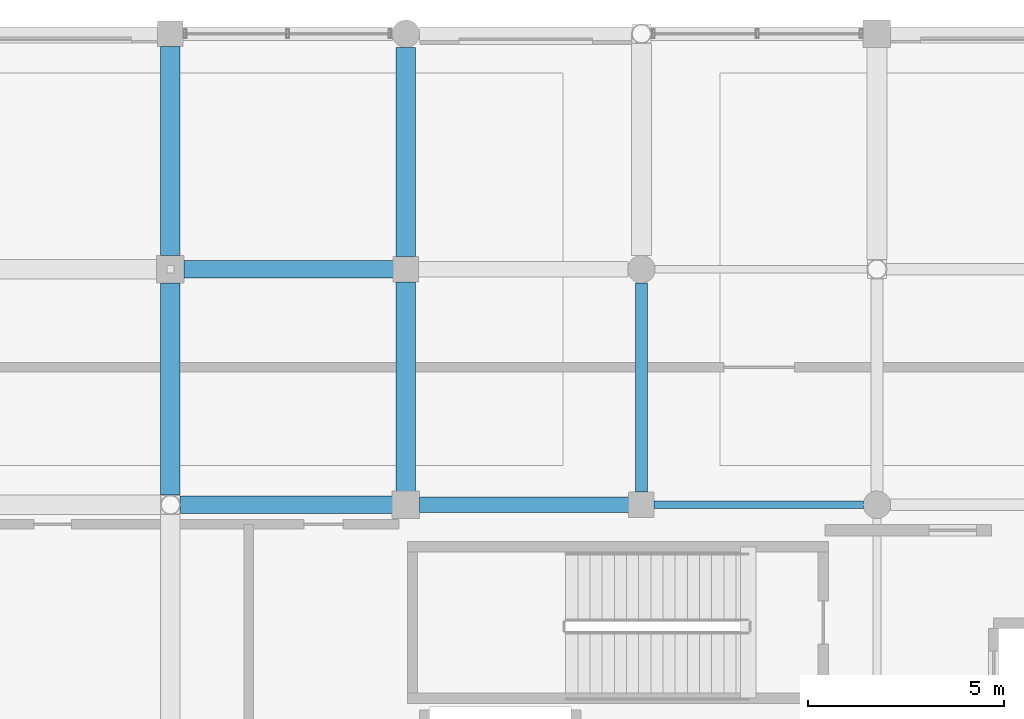
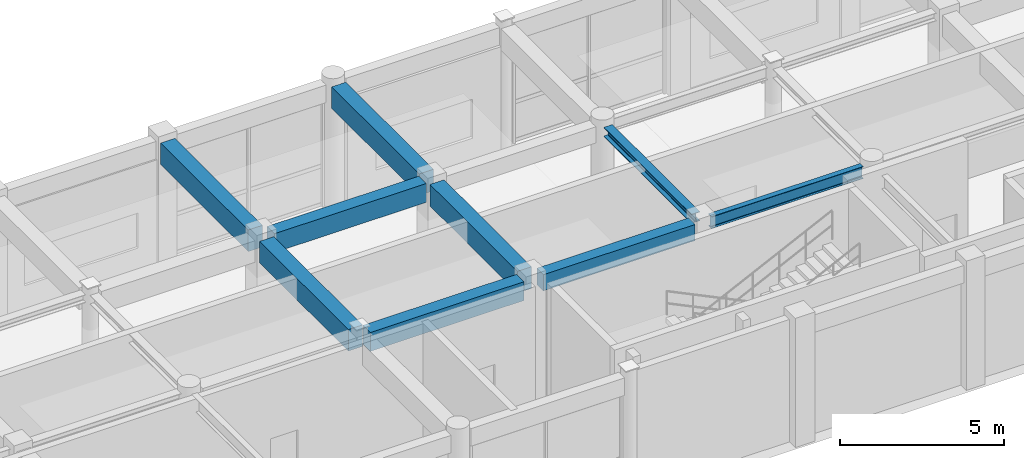
# One storey, part 52 of 112: 9 beams.
"""IFC4 building model written with IfcOpenShell, lengths in metres."""

import ifcopenshell
import ifcopenshell.guid

model = None  # the IFC model being written
_history = None  # IfcOwnerHistory: only IFC2X3 demands one
_inside = {}  # id of a spatial element -> (the spatial element, [elements in it])
_under = {}  # id of a project, library or spatial element -> (it, [spatial elements below it])
_declared = {}  # id of a project -> (the project, [libraries it declares])
_typed = {}  # id of a type object -> (the type object, [elements of that type])
_made_of = {}  # id of a material, layer set ... -> (it, [elements and type objects made of it])


def new_model(schema):
    """Start an empty IFC model of exactly this schema.

    Asked for "IFC4X3", IfcOpenShell would pick the latest addendum, in which some entities
    have other attributes; the version numbers below select the first issue.
    IFC2X3 requires an IfcOwnerHistory on every rooted entity: one is made here for all.
    """
    global model, _history
    if schema == "IFC4X3":
        model = ifcopenshell.file(schema_version=(4, 3, 0, 0))
    else:
        model = ifcopenshell.file(schema=schema)
    _inside.clear()
    _under.clear()
    _declared.clear()
    _typed.clear()
    _made_of.clear()
    _history = None
    if model.schema == "IFC2X3":
        org = make("IfcOrganization", Name="unknown")
        user = make(
            "IfcPersonAndOrganization",
            ThePerson=make("IfcPerson", FamilyName="unknown"),
            TheOrganization=org,
        )
        app = make(
            "IfcApplication",
            ApplicationDeveloper=org,
            Version="unknown",
            ApplicationFullName="unknown",
            ApplicationIdentifier="unknown",
        )
        _history = make(
            "IfcOwnerHistory",
            OwningUser=user,
            OwningApplication=app,
            ChangeAction="ADDED",
            CreationDate=0,
        )
    return model


def make(cls, **values):
    """One entity of the class cls with the attributes given. An attribute that is None is left unset."""
    return model.create_entity(
        cls, **{name: value for name, value in values.items() if value is not None}
    )


def rooted(cls, **values):
    """An entity with a GlobalId (a new one), such as an element, a storey or a relation."""
    return make(cls, GlobalId=ifcopenshell.guid.new(), OwnerHistory=_history, **values)


def si_unit(unit_type, name, prefix=None):
    """IfcSIUnit, for example si_unit("LENGTHUNIT", "METRE", prefix="MILLI")."""
    return make("IfcSIUnit", UnitType=unit_type, Prefix=prefix, Name=name)


def assignment(units):
    """IfcUnitAssignment: the units of a project."""
    return None if units is None else make("IfcUnitAssignment", Units=units)


def point(xyz):
    """IfcCartesianPoint."""
    return None if xyz is None else make("IfcCartesianPoint", Coordinates=xyz)


def direction(xyz):
    """IfcDirection."""
    return None if xyz is None else make("IfcDirection", DirectionRatios=xyz)


def frame(location, z_axis=None, x_axis=None):
    """IfcAxis2Placement3D, a coordinate frame: its origin and axes. An axis left out is left unset."""
    return make(
        "IfcAxis2Placement3D",
        Location=point(location),
        Axis=direction(z_axis),
        RefDirection=direction(x_axis),
    )


def frame_2d(location, x_axis=None):
    """IfcAxis2Placement2D, a coordinate frame in the plane: its origin and x axis."""
    return make(
        "IfcAxis2Placement2D", Location=point(location), RefDirection=direction(x_axis)
    )


def origin():
    """The frame at (0, 0, 0) with its axes left unset."""
    return frame((0.0, 0.0, 0.0))


def origin_2d():
    """The frame at (0, 0) in the plane with its x axis left unset."""
    return frame_2d((0.0, 0.0))


def place(relative_to, where):
    """IfcLocalPlacement: puts the frame where relative to a parent placement (None: the world)."""
    return make(
        "IfcLocalPlacement", PlacementRelTo=relative_to, RelativePlacement=where
    )


def context(
    kind, dimensions, precision=None, world=None, true_north=None, identifier=None
):
    """IfcGeometricRepresentationContext, for example the 3D "Model" context."""
    return make(
        "IfcGeometricRepresentationContext",
        ContextIdentifier=identifier,
        ContextType=kind,
        CoordinateSpaceDimension=dimensions,
        Precision=precision,
        WorldCoordinateSystem=world,
        TrueNorth=true_north,
    )


def subcontext(parent, identifier, kind, view, scale=None):
    """IfcGeometricRepresentationSubContext, for example "Body" below "Model"."""
    return make(
        "IfcGeometricRepresentationSubContext",
        ContextIdentifier=identifier,
        ContextType=kind,
        ParentContext=parent,
        TargetScale=scale,
        TargetView=view,
    )


def project(units=None, contexts=None):
    """IfcProject with its units and contexts."""
    return rooted(
        "IfcProject",
        Name="project",
        RepresentationContexts=contexts,
        UnitsInContext=assignment(units),
    )


def spatial(cls, under=None, at=None, **own):
    """A site, building, storey or space (cls), placed at a placement, below another one or the project."""
    s = rooted(cls, ObjectPlacement=at, **own)
    if under is not None:
        _under.setdefault(under.id(), (under, []))[1].append(s)
    return s


def profile(cls, at=None, kind="AREA", **sizes):
    """A parametric profile (cls). Its sizes go by their IFC names, for example OverallWidth=200.0."""
    return make(cls, ProfileType=kind, Position=at, **sizes)


def rectangle(**sizes):
    """IfcRectangleProfileDef."""
    return profile("IfcRectangleProfileDef", **sizes)


def i_section(**sizes):
    """IfcIShapeProfileDef."""
    return profile("IfcIShapeProfileDef", **sizes)


def extrude(swept, where, along, depth):
    """IfcExtrudedAreaSolid: the profile swept, set in the frame where, extruded along a direction by depth."""
    return make(
        "IfcExtrudedAreaSolid",
        SweptArea=swept,
        Position=where,
        ExtrudedDirection=direction(along),
        Depth=depth,
    )


def shape(context_of_items, identifier, shape_type, items):
    """IfcShapeRepresentation: the items that make up one representation, for example the "Body"."""
    return make(
        "IfcShapeRepresentation",
        ContextOfItems=context_of_items,
        RepresentationIdentifier=identifier,
        RepresentationType=shape_type,
        Items=items,
    )


def material(Name=None, Category=None):
    """IfcMaterial."""
    return make("IfcMaterial", Name=Name, Category=Category)


def material_profile(
    of_material, cross_section, Name=None, Category=None, Priority=None
):
    """IfcMaterialProfile: a cross section and its material."""
    return make(
        "IfcMaterialProfile",
        Name=Name,
        Material=of_material,
        Profile=cross_section,
        Priority=Priority,
        Category=Category,
    )


def profile_set(profiles, Name=None, composite=None):
    """IfcMaterialProfileSet."""
    return make(
        "IfcMaterialProfileSet",
        Name=Name,
        MaterialProfiles=profiles,
        CompositeProfile=composite,
    )


def made_of(thing, what):
    """Note that an element or type object is made of a material, layer set ...; save() writes the relation."""
    if what is not None:
        _made_of.setdefault(what.id(), (what, []))[1].append(thing)
    return thing


def type_object(cls, material=None, **own):
    """A type object (cls), such as IfcWallType, which elements share."""
    return made_of(rooted(cls, **own), material)


def element(
    cls,
    number,
    at=None,
    inside=None,
    cuts=None,
    type_object=None,
    material=None,
    context=None,
    identifier="Body",
    shape_type=None,
    held_by="IfcProductDefinitionShape",
    body=None,
    shapes=None,
    **own,
):
    """One element of the class cls, such as IfcWall. Its Tag is "e" and its number.

    at: its placement. inside: the storey or other place that contains it. cuts: it is an
    opening in that element (IfcRelVoidsElement). A single representation is given by context,
    identifier, shape_type and body (its items); several are given by shapes. held_by: the class
    of the entity that holds the representations. save() writes the other relations.
    """
    e = rooted(cls, Tag="e%d" % number, ObjectPlacement=at, **own)
    if body is not None:
        shapes = [shape(context, identifier, shape_type, body)]
    if shapes is not None:
        e.Representation = make(held_by, Representations=shapes)
    if inside is not None:
        _inside.setdefault(inside.id(), (inside, []))[1].append(e)
    if cuts is not None:
        rooted(
            "IfcRelVoidsElement", RelatingBuildingElement=cuts, RelatedOpeningElement=e
        )
    if type_object is not None:
        _typed.setdefault(type_object.id(), (type_object, []))[1].append(e)
    return made_of(e, material)


def aggregate(whole, parts):
    """IfcRelAggregates: a whole, such as a stair, and the parts it consists of."""
    return rooted("IfcRelAggregates", RelatingObject=whole, RelatedObjects=parts)


def save(model, path):
    """Write the relations noted so far, then the file.

    IfcRelAggregates (storeys below a building ...), IfcRelContainedInSpatialStructure (elements
    in a storey), IfcRelDefinesByType, IfcRelAssociatesMaterial and IfcRelDeclares: one each for
    every whole, place, type object, material and project.
    """
    for whole, parts in _under.values():
        aggregate(whole, parts)
    for where, things in _inside.values():
        rooted(
            "IfcRelContainedInSpatialStructure",
            RelatedElements=things,
            RelatingStructure=where,
        )
    for kind, things in _typed.values():
        rooted("IfcRelDefinesByType", RelatedObjects=things, RelatingType=kind)
    for what, things in _made_of.values():
        rooted("IfcRelAssociatesMaterial", RelatedObjects=things, RelatingMaterial=what)
    for by, libraries in _declared.values():
        rooted("IfcRelDeclares", RelatingContext=by, RelatedDefinitions=libraries)
    model.write(path)


model = new_model("IFC4")

# Units and contexts
model_context = context("Model", 3, precision=1e-05, world=origin(), true_north=direction((0.0, 1.0)))
body_context = subcontext(model_context, "Body", "Model", "MODEL_VIEW")
ifc_project = project(units=[si_unit("LENGTHUNIT", "METRE"), si_unit("AREAUNIT", "SQUARE_METRE"), si_unit("VOLUMEUNIT", "CUBIC_METRE"), si_unit("PLANEANGLEUNIT", "RADIAN"), si_unit("MASSUNIT", "GRAM", prefix="KILO"), si_unit("THERMODYNAMICTEMPERATUREUNIT", "KELVIN"), si_unit("POWERUNIT", "WATT")], contexts=[model_context])

# Site, building, storey
site_placement = place(None, origin())
site = spatial("IfcSite", under=ifc_project, at=site_placement, CompositionType="ELEMENT")
building_placement = place(site_placement, origin())
building = spatial("IfcBuilding", under=site, at=building_placement, Name="Phaisarnlok Congress Hotel", CompositionType="ELEMENT")
storey_placement = place(building_placement, frame((0.0, 0.0, 19.800048828125)))
storey = spatial("IfcBuildingStorey", under=building, at=storey_placement, Name="L04", CompositionType="ELEMENT", Elevation=19.800048828125)

# Beams
ifc_material_1 = material(Name="Concrete C40/50", Category="concrete")
ifc_material_profile_1 = material_profile(ifc_material_1, rectangle(XDim=0.39990234375, YDim=0.60009765625, at=origin_2d()), Name="RC 400x600")
ifc_profile_set_1 = profile_set([ifc_material_profile_1], Name="Concrete C40/50")
beam_type_1 = type_object("IfcBeamType", Name="BM-RC-400x600", PredefinedType="BEAM", material=ifc_profile_set_1)
beam_1_placement = place(storey_placement, frame((102.344970703125, 114.0, 4.25), z_axis=(1.0, 0.0, 0.0), x_axis=(0.0, 1.0, 0.0)))
element("IfcBeam", 1, at=beam_1_placement, inside=storey, type_object=beam_type_1, Name="Beam B-02", PredefinedType="BEAM", context=body_context, shape_type="SweptSolid", body=[
    extrude(rectangle(XDim=0.39990234375, YDim=0.60009765625, at=origin_2d()), origin(), (0.0, 0.0, 1.0), 5.3349609375),
])
ifc_material_profile_2 = material_profile(ifc_material_1, rectangle(XDim=0.449951171875, YDim=0.699951171875, at=origin_2d()), Name="RC 450x700")
ifc_profile_set_2 = profile_set([ifc_material_profile_2], Name="Concrete C40/50")
beam_type_2 = type_object("IfcBeamType", Name="BM-RC-450x700", PredefinedType="BEAM", material=ifc_profile_set_2)
beam_2_placement = place(storey_placement, frame((96.2490234375, 114.0, 4.199951171875), z_axis=(1.0, 0.0, 0.0), x_axis=(0.0, 1.0, 0.0)))
element("IfcBeam", 2, at=beam_2_placement, inside=storey, type_object=beam_type_2, Name="Beam B-03", PredefinedType="BEAM", context=body_context, shape_type="SweptSolid", body=[
    extrude(rectangle(XDim=0.449951171875, YDim=0.699951171875, at=origin_2d()), origin(), (0.0, 0.0, 1.0), 5.406005859375),
])
beam_3_placement = place(storey_placement, frame((96.344970703125, 120.0, 4.199951171875), z_axis=(1.0, 0.0, 0.0), x_axis=(0.0, 1.0, 0.0)))
element("IfcBeam", 3, at=beam_3_placement, inside=storey, type_object=beam_type_2, Name="Beam B-03", PredefinedType="BEAM", context=body_context, shape_type="SweptSolid", body=[
    extrude(rectangle(XDim=0.449951171875, YDim=0.699951171875, at=origin_2d()), origin(), (0.0, 0.0, 1.0), 5.3349609375),
])
ifc_material_profile_3 = material_profile(ifc_material_1, rectangle(XDim=0.5, YDim=0.800048828125, at=origin_2d()), Name="RC 500x800")
ifc_profile_set_3 = profile_set([ifc_material_profile_3], Name="Concrete C40/50")
beam_type_3 = type_object("IfcBeamType", Name="BM-RC-500x800", PredefinedType="BEAM", material=ifc_profile_set_3)
beam_4_placement = place(storey_placement, frame((96.0, 114.2490234375, 4.14990234375), z_axis=(0.0, 1.0, 0.0), x_axis=(-1.0, 0.0, 0.0)))
element("IfcBeam", 4, at=beam_4_placement, inside=storey, type_object=beam_type_3, Name="Beam B-04", PredefinedType="BEAM", context=body_context, shape_type="SweptSolid", body=[
    extrude(rectangle(XDim=0.5, YDim=0.800048828125, at=origin_2d()), origin(), (0.0, 0.0, 1.0), 5.406005859375),
])
for number, where, z_axis, x_axis, name in (
    (5, (96.0, 120.344970703125, 4.14990234375), (0.0, 1.0, 0.0), (-1.0, 0.0, 0.0), "Beam B-04"),
    (6, (102.0, 114.344970703125, 4.14990234375), (0.0, 1.0, 0.0), (-1.0, 0.0, 0.0), "Beam B-04"),
    (7, (102.0, 120.320068359375, 4.14990234375), (0.0, 1.0, 0.0), (-1.0, 0.0, 0.0), "Beam B-04"),
):
    element("IfcBeam", number, at=place(storey_placement, frame(where, z_axis=z_axis, x_axis=x_axis)), inside=storey, type_object=beam_type_3, Name=name, PredefinedType="BEAM", context=body_context, shape_type="SweptSolid", body=[
        extrude(rectangle(XDim=0.5, YDim=0.800048828125, at=origin_2d()), origin(), (0.0, 0.0, 1.0), 5.3349609375),
    ])
ifc_material_2 = material(Name="Steel S355", Category="steel")
ifc_material_profile_4 = material_profile(ifc_material_2, i_section(OverallWidth=0.300048828125, OverallDepth=0.340087890625, WebThickness=0.011962890625, FlangeThickness=0.021484375, FilletRadius=0.027099609375, at=origin_2d()), Name="HEB 340")
ifc_profile_set_4 = profile_set([ifc_material_profile_4], Name="Steel S355")
beam_type_4 = type_object("IfcBeamType", Name="BM-STL-HEB340", PredefinedType="BEAM", material=ifc_profile_set_4)
beam_5_placement = place(storey_placement, frame((108.0, 114.320068359375, 4.3798828125), z_axis=(0.0, 1.0, 0.0), x_axis=(-1.0, 0.0, 0.0)))
element("IfcBeam", 8, at=beam_5_placement, inside=storey, type_object=beam_type_4, Name="Beam SB-07", PredefinedType="BEAM", context=body_context, shape_type="SweptSolid", body=[
    extrude(i_section(OverallWidth=0.300048828125, OverallDepth=0.340087890625, WebThickness=0.011962890625, FlangeThickness=0.021484375, FilletRadius=0.027099609375, at=origin_2d()), origin(), (0.0, 0.0, 1.0), 5.3349609375),
])
ifc_material_profile_5 = material_profile(ifc_material_2, i_section(OverallWidth=0.18994140625, OverallDepth=0.449951171875, WebThickness=0.009521484375, FlangeThickness=0.0146484375, FilletRadius=0.02099609375, at=origin_2d()), Name="IPE 450")
ifc_profile_set_5 = profile_set([ifc_material_profile_5], Name="Steel S355")
beam_type_5 = type_object("IfcBeamType", Name="BM-STL-IPE450", PredefinedType="BEAM", material=ifc_profile_set_5)
beam_6_placement = place(storey_placement, frame((108.320068359375, 114.0, 4.324951171875), z_axis=(1.0, 0.0, 0.0), x_axis=(0.0, 1.0, 0.0)))
element("IfcBeam", 9, at=beam_6_placement, inside=storey, type_object=beam_type_5, Name="Beam SB-01", PredefinedType="BEAM", context=body_context, shape_type="SweptSolid", body=[
    extrude(i_section(OverallWidth=0.18994140625, OverallDepth=0.449951171875, WebThickness=0.009521484375, FlangeThickness=0.0146484375, FilletRadius=0.02099609375, at=origin_2d()), origin(), (0.0, 0.0, 1.0), 5.3349609375),
])

save(model, "model.ifc")
